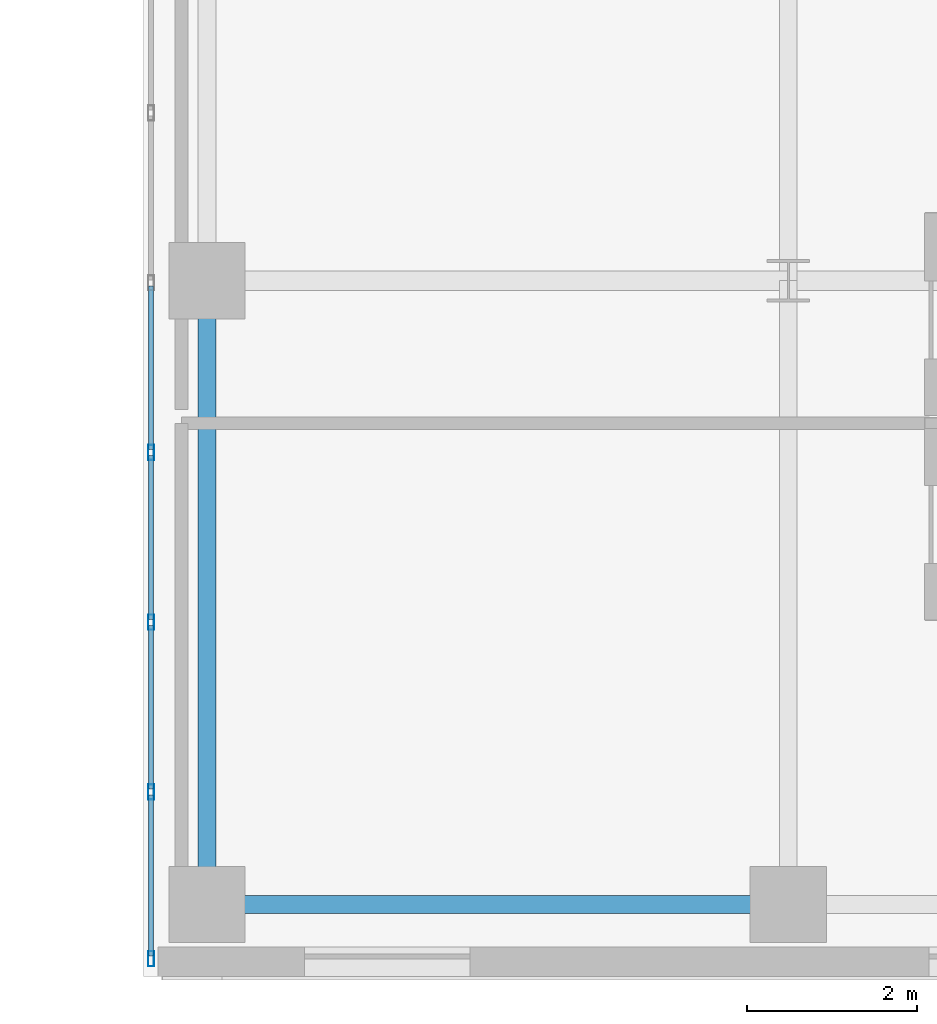
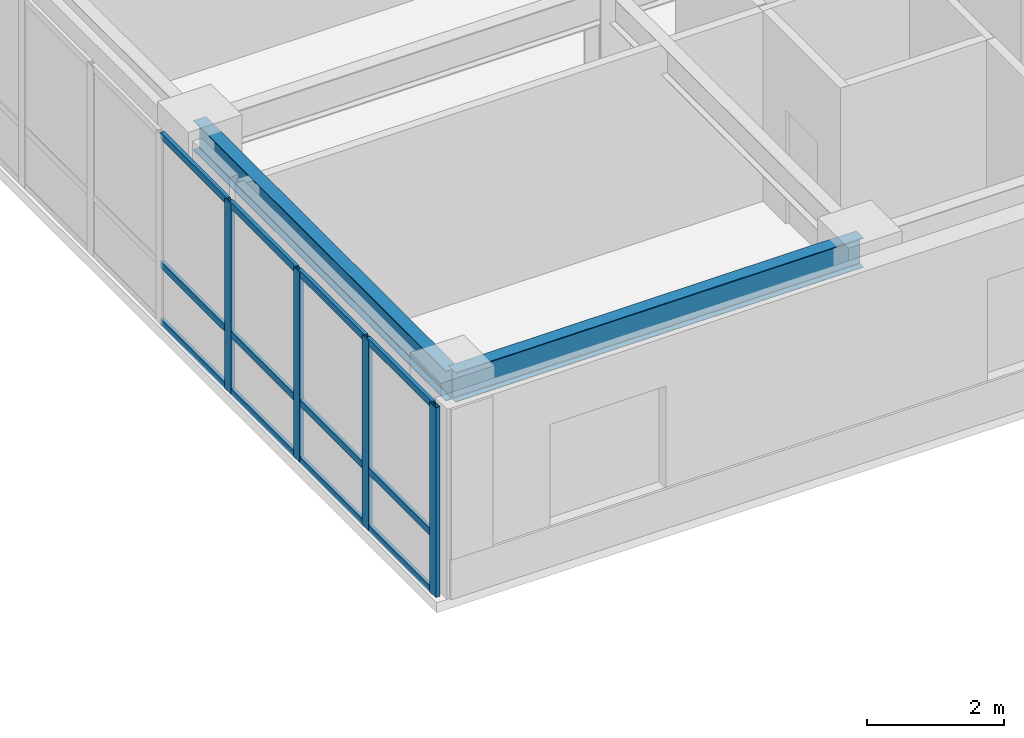
# One storey, part 7 of 25: 16 members, 2 beams, 1 element without a shape of its own.
"""IFC4 building model written with IfcOpenShell, lengths in metres."""

from ifc_helpers import new_model, si_unit, direction, frame, origin, origin_2d, place, context, subcontext, project, spatial, hollow_rectangle, i_section, extrude, source, transform, mapped, material, layer, layer_set, material_profile, profile_set, type_object, type_shapes, element, aggregate, save


model = new_model("IFC4")

# Units and contexts
model_context = context("Model", 3, precision=1e-05, world=origin(), true_north=direction((0.0, 1.0)))
body_context = subcontext(model_context, "Body", "Model", "MODEL_VIEW")
ifc_project = project(units=[si_unit("LENGTHUNIT", "METRE"), si_unit("AREAUNIT", "SQUARE_METRE"), si_unit("VOLUMEUNIT", "CUBIC_METRE"), si_unit("PLANEANGLEUNIT", "RADIAN"), si_unit("MASSUNIT", "GRAM", prefix="KILO")], contexts=[model_context])

# Site, building, storey
site_placement = place(None, origin())
site = spatial("IfcSite", under=ifc_project, at=site_placement, CompositionType="ELEMENT")
building_placement = place(site_placement, origin())
building = spatial("IfcBuilding", under=site, at=building_placement, Name="Tolvann Quenvar Hotel", CompositionType="ELEMENT")
storey_placement = place(building_placement, frame((0.0, 0.0, 132.85009765625)))
storey = spatial("IfcBuildingStorey", under=building, at=storey_placement, Name="L34", CompositionType="ELEMENT", Elevation=132.85009765625)

# Beams
ifc_material_1 = material(Name="Steel Grade 350", Category="steel")
ifc_material_profile_1 = material_profile(ifc_material_1, i_section(OverallWidth=0.208984375, OverallDepth=0.528076171875, WebThickness=0.009521484375, FlangeThickness=0.01318359375, FilletRadius=0.013916015625, at=origin_2d()), Name="530UB82")
ifc_profile_set_1 = profile_set([ifc_material_profile_1], Name="Steel Grade 350")
beam_type_1 = type_object("IfcBeamType", Name="BM_SPAND_530UB82", PredefinedType="SPANDREL", material=ifc_profile_set_1)
shared_shape_1 = source(origin(), body_context, "Body", "SweptSolid", [
    extrude(i_section(OverallWidth=0.208984375, OverallDepth=0.528076171875, WebThickness=0.009521484375, FlangeThickness=0.01318359375, FilletRadius=0.013916015625, at=origin_2d()), origin(), (0.0, 0.0, 1.0), 6.85009765625),
])
type_shapes(beam_type_1, [shared_shape_1])
beam_1_placement = place(storey_placement, frame((34.949951171875, 0.85009765625, 3.10595703125), z_axis=(1.0, 0.0, 0.0), x_axis=(0.0, 1.0, 0.0)))
element("IfcBeam", 1, at=beam_1_placement, inside=storey, type_object=beam_type_1, Name="BM-L34-EW-2-F2-H2", PredefinedType="SPANDREL", context=body_context, shape_type="MappedRepresentation", body=[
    mapped(shared_shape_1, transform((0.0, 0.0, 0.0), x_axis=(1.0, 0.0, 0.0), y_axis=(0.0, 1.0, 0.0), z_axis=(0.0, 0.0, 1.0), scale=1.0)),
])
ifc_material_profile_2 = material_profile(ifc_material_1, i_section(OverallWidth=0.208984375, OverallDepth=0.532958984375, WebThickness=0.01025390625, FlangeThickness=0.015625, FilletRadius=0.013916015625, at=origin_2d()), Name="530UB92")
ifc_profile_set_2 = profile_set([ifc_material_profile_2], Name="Steel Grade 350")
beam_type_2 = type_object("IfcBeamType", Name="BM_GIRD_530UB92", PredefinedType="BEAM", material=ifc_profile_set_2)
shared_shape_2 = source(origin(), body_context, "Body", "SweptSolid", [
    extrude(i_section(OverallWidth=0.208984375, OverallDepth=0.532958984375, WebThickness=0.01025390625, FlangeThickness=0.015625, FilletRadius=0.013916015625, at=origin_2d()), origin(), (0.0, 0.0, 1.0), 7.349853515625),
])
type_shapes(beam_type_2, [shared_shape_2])
beam_2_placement = place(storey_placement, frame((34.949951171875, 0.85009765625, 3.103515625), z_axis=(0.0, 1.0, 0.0), x_axis=(-1.0, 0.0, 0.0)))
element("IfcBeam", 2, at=beam_2_placement, inside=storey, type_object=beam_type_2, Name="BM-L34-NS-F2-F3", PredefinedType="BEAM", context=body_context, shape_type="MappedRepresentation", body=[
    mapped(shared_shape_2, transform((0.0, 0.0, 0.0), x_axis=(1.0, 0.0, 0.0), y_axis=(0.0, 1.0, 0.0), z_axis=(0.0, 0.0, 1.0), scale=1.0)),
])

# Curtain wall, members
ifc_material_2 = material(Name="Thermally broken anodised architectural aluminium 6063-T6 and laminated low-E glass", Category="aluminium")
ifc_layer = layer(ifc_material_2, 0.179931640625)
ifc_layer_set = layer_set([ifc_layer], Name="Thermally broken anodised architectural aluminium 6063-T6 and laminated low-E glass")
curtain_wall_type = type_object("IfcCurtainWallType", Name="CW_SYS_SLOT_03", PredefinedType="USERDEFINED", material=ifc_layer_set)
curtain_wall_placement = place(storey_placement, origin())
curtain_wall = element("IfcCurtainWall", 3, at=curtain_wall_placement, inside=storey, type_object=curtain_wall_type, Name="Curtain Wall CW-SLOT-03 (CWR-L34-E07)", ObjectType="UNITISED CURTAIN WALL", PredefinedType="USERDEFINED")
ifc_material_3 = material(Name="Anodised architectural aluminium 6063-T6 framing", Category="aluminium")
ifc_material_profile_3 = material_profile(ifc_material_3, hollow_rectangle(XDim=0.06005859375, YDim=0.1201171875, WallThickness=0.00341796875, at=origin_2d()), Name="120x60x3.5RHS")
ifc_profile_set_3 = profile_set([ifc_material_profile_3], Name="Anodised architectural aluminium 6063-T6 framing")
member_type_1 = type_object("IfcMemberType", Name="CW_TRAN_120x60", PredefinedType="USERDEFINED", material=ifc_profile_set_3)
shared_shape_3 = source(origin(), body_context, "Body", "SweptSolid", [
    extrude(hollow_rectangle(XDim=0.06005859375, YDim=0.1201171875, WallThickness=0.00341796875, at=origin_2d()), origin(), (0.0, 0.0, 1.0), 1.894775390625),
])
member_1_placement = place(storey_placement, frame((34.2900390625, 2.139892578125, 0.02978515625), z_axis=(0.0, -1.0, 0.0), x_axis=(1.0, 0.0, 0.0)))
member_1 = element("IfcMember", 4, at=member_1_placement, type_object=member_type_1, Name="CW-SLOT-03 transom 8.1", ObjectType="TRANSOM", PredefinedType="USERDEFINED", context=body_context, shape_type="MappedRepresentation", body=[
    mapped(shared_shape_3, transform((0.0, 0.0, 0.0), x_axis=(1.0, 0.0, 0.0), y_axis=(0.0, 1.0, 0.0), z_axis=(0.0, 0.0, 1.0), scale=1.0)),
])
member_2_placement = place(storey_placement, frame((34.2900390625, 2.139892578125, 1.0498046875), z_axis=(0.0, -1.0, 0.0), x_axis=(1.0, 0.0, 0.0)))
member_2 = element("IfcMember", 5, at=member_2_placement, type_object=member_type_1, Name="CW-SLOT-03 transom 8.2", ObjectType="TRANSOM", PredefinedType="USERDEFINED", context=body_context, shape_type="MappedRepresentation", body=[
    mapped(shared_shape_3, transform((0.0, 0.0, 0.0), x_axis=(1.0, 0.0, 0.0), y_axis=(0.0, 1.0, 0.0), z_axis=(0.0, 0.0, 1.0), scale=1.0)),
])
member_3_placement = place(storey_placement, frame((34.2900390625, 2.139892578125, 3.33984375), z_axis=(0.0, -1.0, 0.0), x_axis=(1.0, 0.0, 0.0)))
member_3 = element("IfcMember", 6, at=member_3_placement, type_object=member_type_1, Name="CW-SLOT-03 transom 8.3", ObjectType="TRANSOM", PredefinedType="USERDEFINED", context=body_context, shape_type="MappedRepresentation", body=[
    mapped(shared_shape_3, transform((0.0, 0.0, 0.0), x_axis=(1.0, 0.0, 0.0), y_axis=(0.0, 1.0, 0.0), z_axis=(0.0, 0.0, 1.0), scale=1.0)),
])
shared_shape_4 = source(origin(), body_context, "Body", "SweptSolid", [
    extrude(hollow_rectangle(XDim=0.06005859375, YDim=0.1201171875, WallThickness=0.00341796875, at=origin_2d()), origin(), (0.0, 0.0, 1.0), 1.929931640625),
])
type_shapes(member_type_1, [shared_shape_3, shared_shape_4])
member_4_placement = place(storey_placement, frame((34.2900390625, 8.139892578125, 0.02978515625), z_axis=(0.0, -1.0, 0.0), x_axis=(1.0, 0.0, 0.0)))
member_4 = element("IfcMember", 7, at=member_4_placement, type_object=member_type_1, Name="CW-SLOT-03 transom 5.1", ObjectType="TRANSOM", PredefinedType="USERDEFINED", context=body_context, shape_type="MappedRepresentation", body=[
    mapped(shared_shape_4, transform((0.0, 0.0, 0.0), x_axis=(1.0, 0.0, 0.0), y_axis=(0.0, 1.0, 0.0), z_axis=(0.0, 0.0, 1.0), scale=1.0)),
])
member_5_placement = place(storey_placement, frame((34.2900390625, 8.139892578125, 1.0498046875), z_axis=(0.0, -1.0, 0.0), x_axis=(1.0, 0.0, 0.0)))
member_5 = element("IfcMember", 8, at=member_5_placement, type_object=member_type_1, Name="CW-SLOT-03 transom 5.2", ObjectType="TRANSOM", PredefinedType="USERDEFINED", context=body_context, shape_type="MappedRepresentation", body=[
    mapped(shared_shape_4, transform((0.0, 0.0, 0.0), x_axis=(1.0, 0.0, 0.0), y_axis=(0.0, 1.0, 0.0), z_axis=(0.0, 0.0, 1.0), scale=1.0)),
])
member_6_placement = place(storey_placement, frame((34.2900390625, 8.139892578125, 3.33984375), z_axis=(0.0, -1.0, 0.0), x_axis=(1.0, 0.0, 0.0)))
member_6 = element("IfcMember", 9, at=member_6_placement, type_object=member_type_1, Name="CW-SLOT-03 transom 5.3", ObjectType="TRANSOM", PredefinedType="USERDEFINED", context=body_context, shape_type="MappedRepresentation", body=[
    mapped(shared_shape_4, transform((0.0, 0.0, 0.0), x_axis=(1.0, 0.0, 0.0), y_axis=(0.0, 1.0, 0.0), z_axis=(0.0, 0.0, 1.0), scale=1.0)),
])
member_7_placement = place(storey_placement, frame((34.2900390625, 6.139892578125, 0.02978515625), z_axis=(0.0, -1.0, 0.0), x_axis=(1.0, 0.0, 0.0)))
member_7 = element("IfcMember", 10, at=member_7_placement, type_object=member_type_1, Name="CW-SLOT-03 transom 6.1", ObjectType="TRANSOM", PredefinedType="USERDEFINED", context=body_context, shape_type="MappedRepresentation", body=[
    mapped(shared_shape_4, transform((0.0, 0.0, 0.0), x_axis=(1.0, 0.0, 0.0), y_axis=(0.0, 1.0, 0.0), z_axis=(0.0, 0.0, 1.0), scale=1.0)),
])
member_8_placement = place(storey_placement, frame((34.2900390625, 6.139892578125, 1.0498046875), z_axis=(0.0, -1.0, 0.0), x_axis=(1.0, 0.0, 0.0)))
member_8 = element("IfcMember", 11, at=member_8_placement, type_object=member_type_1, Name="CW-SLOT-03 transom 6.2", ObjectType="TRANSOM", PredefinedType="USERDEFINED", context=body_context, shape_type="MappedRepresentation", body=[
    mapped(shared_shape_4, transform((0.0, 0.0, 0.0), x_axis=(1.0, 0.0, 0.0), y_axis=(0.0, 1.0, 0.0), z_axis=(0.0, 0.0, 1.0), scale=1.0)),
])
member_9_placement = place(storey_placement, frame((34.2900390625, 6.139892578125, 3.33984375), z_axis=(0.0, -1.0, 0.0), x_axis=(1.0, 0.0, 0.0)))
member_9 = element("IfcMember", 12, at=member_9_placement, type_object=member_type_1, Name="CW-SLOT-03 transom 6.3", ObjectType="TRANSOM", PredefinedType="USERDEFINED", context=body_context, shape_type="MappedRepresentation", body=[
    mapped(shared_shape_4, transform((0.0, 0.0, 0.0), x_axis=(1.0, 0.0, 0.0), y_axis=(0.0, 1.0, 0.0), z_axis=(0.0, 0.0, 1.0), scale=1.0)),
])
member_10_placement = place(storey_placement, frame((34.2900390625, 4.139892578125, 0.02978515625), z_axis=(0.0, -1.0, 0.0), x_axis=(1.0, 0.0, 0.0)))
member_10 = element("IfcMember", 13, at=member_10_placement, type_object=member_type_1, Name="CW-SLOT-03 transom 7.1", ObjectType="TRANSOM", PredefinedType="USERDEFINED", context=body_context, shape_type="MappedRepresentation", body=[
    mapped(shared_shape_4, transform((0.0, 0.0, 0.0), x_axis=(1.0, 0.0, 0.0), y_axis=(0.0, 1.0, 0.0), z_axis=(0.0, 0.0, 1.0), scale=1.0)),
])
member_11_placement = place(storey_placement, frame((34.2900390625, 4.139892578125, 1.0498046875), z_axis=(0.0, -1.0, 0.0), x_axis=(1.0, 0.0, 0.0)))
member_11 = element("IfcMember", 14, at=member_11_placement, type_object=member_type_1, Name="CW-SLOT-03 transom 7.2", ObjectType="TRANSOM", PredefinedType="USERDEFINED", context=body_context, shape_type="MappedRepresentation", body=[
    mapped(shared_shape_4, transform((0.0, 0.0, 0.0), x_axis=(1.0, 0.0, 0.0), y_axis=(0.0, 1.0, 0.0), z_axis=(0.0, 0.0, 1.0), scale=1.0)),
])
member_12_placement = place(storey_placement, frame((34.2900390625, 4.139892578125, 3.33984375), z_axis=(0.0, -1.0, 0.0), x_axis=(1.0, 0.0, 0.0)))
member_12 = element("IfcMember", 15, at=member_12_placement, type_object=member_type_1, Name="CW-SLOT-03 transom 7.3", ObjectType="TRANSOM", PredefinedType="USERDEFINED", context=body_context, shape_type="MappedRepresentation", body=[
    mapped(shared_shape_4, transform((0.0, 0.0, 0.0), x_axis=(1.0, 0.0, 0.0), y_axis=(0.0, 1.0, 0.0), z_axis=(0.0, 0.0, 1.0), scale=1.0)),
])
ifc_material_profile_4 = material_profile(ifc_material_3, hollow_rectangle(XDim=0.070068359375, YDim=0.179931640625, WallThickness=0.00390625, at=origin_2d()), Name="180x70x4RHS")
ifc_profile_set_4 = profile_set([ifc_material_profile_4], Name="Anodised architectural aluminium 6063-T6 framing")
member_type_2 = type_object("IfcMemberType", Name="CW_MULL_180x70", PredefinedType="MULLION", material=ifc_profile_set_4)
shared_shape_5 = source(origin(), body_context, "Body", "SweptSolid", [
    extrude(hollow_rectangle(XDim=0.070068359375, YDim=0.179931640625, WallThickness=0.00390625, at=origin_2d()), origin(), (0.0, 0.0, 1.0), 3.369873046875),
])
type_shapes(member_type_2, [shared_shape_5])
member_13_placement = place(storey_placement, frame((34.2900390625, 6.175048828125, 0.0), z_axis=(0.0, 0.0, 1.0), x_axis=(1.0, 0.0, 0.0)))
member_13 = element("IfcMember", 16, at=member_13_placement, type_object=member_type_2, Name="CW-SLOT-03 mullion 6", PredefinedType="MULLION", context=body_context, shape_type="MappedRepresentation", body=[
    mapped(shared_shape_5, transform((0.0, 0.0, 0.0), x_axis=(1.0, 0.0, 0.0), y_axis=(0.0, 1.0, 0.0), z_axis=(0.0, 0.0, 1.0), scale=1.0)),
])
member_14_placement = place(storey_placement, frame((34.2900390625, 4.175048828125, 0.0), z_axis=(0.0, 0.0, 1.0), x_axis=(1.0, 0.0, 0.0)))
member_14 = element("IfcMember", 17, at=member_14_placement, type_object=member_type_2, Name="CW-SLOT-03 mullion 7", PredefinedType="MULLION", context=body_context, shape_type="MappedRepresentation", body=[
    mapped(shared_shape_5, transform((0.0, 0.0, 0.0), x_axis=(1.0, 0.0, 0.0), y_axis=(0.0, 1.0, 0.0), z_axis=(0.0, 0.0, 1.0), scale=1.0)),
])
member_15_placement = place(storey_placement, frame((34.2900390625, 2.175048828125, 0.0), z_axis=(0.0, 0.0, 1.0), x_axis=(1.0, 0.0, 0.0)))
member_15 = element("IfcMember", 18, at=member_15_placement, type_object=member_type_2, Name="CW-SLOT-03 mullion 8", PredefinedType="MULLION", context=body_context, shape_type="MappedRepresentation", body=[
    mapped(shared_shape_5, transform((0.0, 0.0, 0.0), x_axis=(1.0, 0.0, 0.0), y_axis=(0.0, 1.0, 0.0), z_axis=(0.0, 0.0, 1.0), scale=1.0)),
])
member_16_placement = place(storey_placement, frame((34.2900390625, 0.2099609375, 0.0), z_axis=(0.0, 0.0, 1.0), x_axis=(1.0, 0.0, 0.0)))
member_16 = element("IfcMember", 19, at=member_16_placement, type_object=member_type_2, Name="CW-SLOT-03 mullion 9", PredefinedType="MULLION", context=body_context, shape_type="MappedRepresentation", body=[
    mapped(shared_shape_5, transform((0.0, 0.0, 0.0), x_axis=(1.0, 0.0, 0.0), y_axis=(0.0, 1.0, 0.0), z_axis=(0.0, 0.0, 1.0), scale=1.0)),
])
aggregate(curtain_wall, [member_13, member_14, member_15, member_16, member_4, member_5, member_6, member_7, member_8, member_9, member_10, member_11, member_12, member_1, member_2, member_3])

save(model, "model.ifc")
